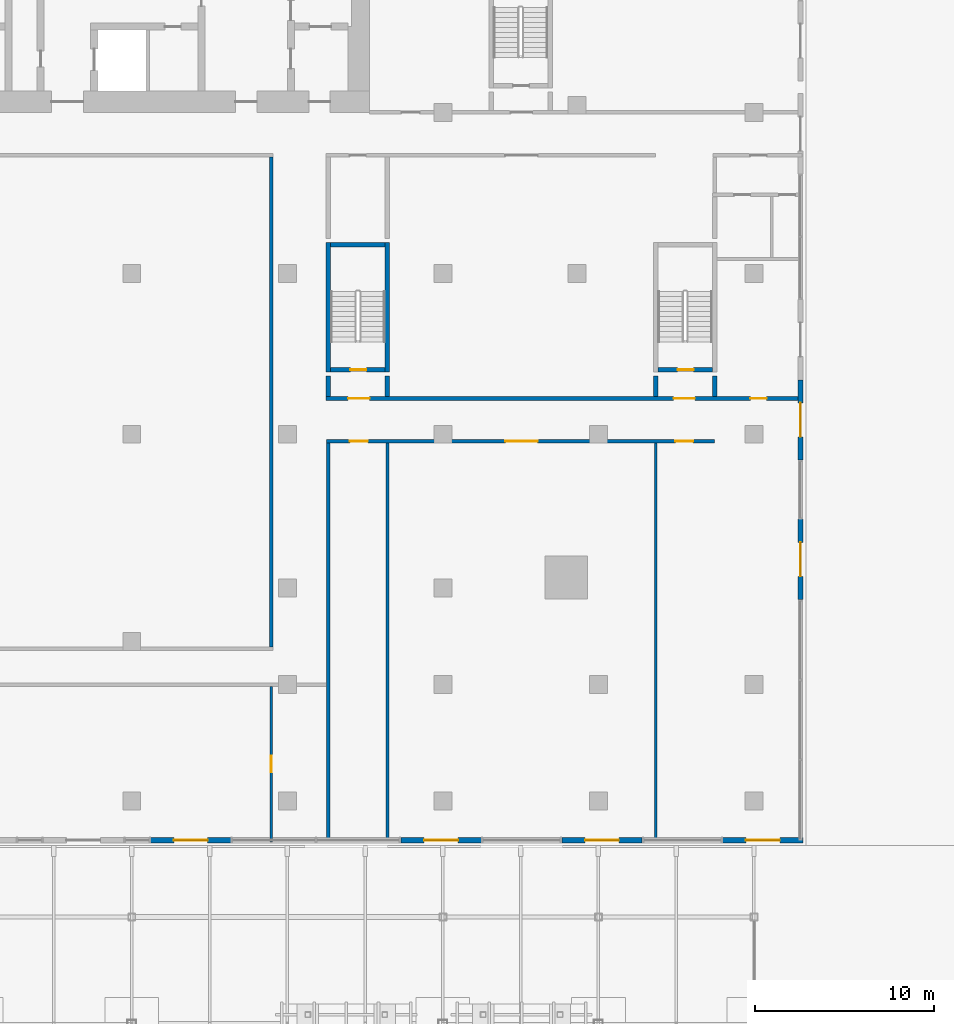
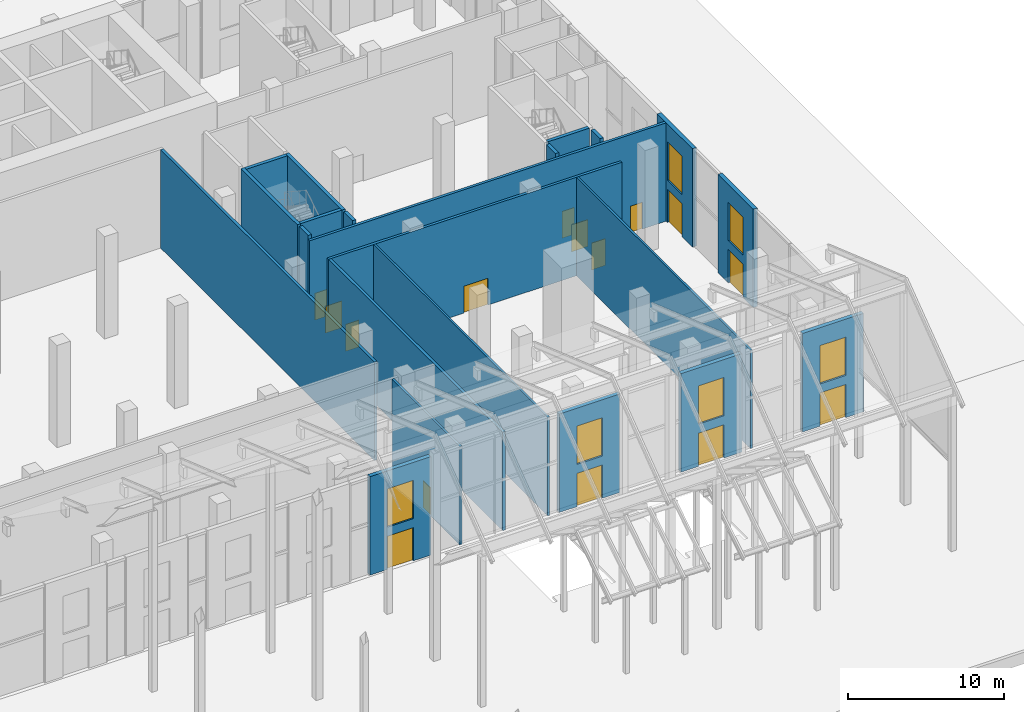
# One storey, part 22 of 31: 22 walls, 15 doors, 6 windows, 21 openings.
"""IFC4 building model written with IfcOpenShell, lengths in metres."""

from ifc_helpers import new_model, si_unit, direction, frame, frame_2d, origin, place, context, subcontext, project, spatial, rectangle, extrude, material, layer, layer_set, layer_usage, type_object, element, fill, save


model = new_model("IFC4")

# Units and contexts
model_context = context("Model", 3, precision=1e-05, world=origin(), true_north=direction((0.0, 1.0)))
body_context = subcontext(model_context, "Body", "Model", "MODEL_VIEW")
ifc_project = project(units=[si_unit("LENGTHUNIT", "METRE"), si_unit("AREAUNIT", "SQUARE_METRE"), si_unit("VOLUMEUNIT", "CUBIC_METRE"), si_unit("PLANEANGLEUNIT", "RADIAN"), si_unit("MASSUNIT", "GRAM", prefix="KILO")], contexts=[model_context])

# Site, building, storey
site_placement = place(None, origin())
site = spatial("IfcSite", under=ifc_project, at=site_placement, CompositionType="ELEMENT")
building_placement = place(site_placement, origin())
building = spatial("IfcBuilding", under=site, at=building_placement, Name="Bicima Exchange Tower", CompositionType="ELEMENT")
storey_placement = place(building_placement, origin())
storey = spatial("IfcBuildingStorey", under=building, at=storey_placement, Name="L00", CompositionType="ELEMENT", Elevation=0.0)

# Wall, openings, window, door
ifc_material_1 = material(Name="Concrete C40/50", Category="concrete")
ifc_layer_1 = layer(ifc_material_1, 0.3)
ifc_layer_set_1 = layer_set([ifc_layer_1], Name="Concrete C40/50")
ifc_layer_usage = layer_usage(ifc_layer_set_1, "AXIS2", "POSITIVE", -0.15)
wall_type_1 = type_object("IfcWallType", Name="Entrance frame wall 300", PredefinedType="STANDARD", material=ifc_layer_set_1)
wall_1_placement = place(storey_placement, frame((14.25, -53.699951171875, 0.0), z_axis=(0.0, 0.0, 1.0), x_axis=(-1.0, 0.0, 0.0)))
wall_1 = element("IfcWall", 1, at=wall_1_placement, inside=storey, type_object=wall_type_1, material=ifc_layer_usage, Name="Entrance frame wall L00 south 15", PredefinedType="STANDARD", context=body_context, shape_type="SweptSolid", body=[
    extrude(rectangle(XDim=4.5, YDim=0.300048828125, at=frame_2d((2.25, 0.0))), origin(), (0.0, 0.0, 1.0), 7.699951171875),
])
opening_1_placement = place(wall_1_placement, frame((1.300048828125, 0.0, 0.0)))
opening_1 = element("IfcOpeningElement", 2, at=opening_1_placement, cuts=wall_1, Name="Opening DX2", PredefinedType="OPENING", context=body_context, shape_type="SweptSolid", body=[
    extrude(rectangle(XDim=1.89990234375, YDim=2.60009765625, at=frame_2d((0.949951171875, 1.300048828125))), frame((0.0, 0.162109375, 0.0), z_axis=(0.0, -1.0, 0.0), x_axis=(1.0, 0.0, 0.0)), (0.0, 0.0, 1.0), 0.323974609375),
])
opening_2_placement = place(wall_1_placement, frame((1.300048828125, 0.0, 3.300048828125)))
opening_2 = element("IfcOpeningElement", 3, at=opening_2_placement, cuts=wall_1, Name="Opening WX1", PredefinedType="OPENING", context=body_context, shape_type="SweptSolid", body=[
    extrude(rectangle(XDim=1.89990234375, YDim=3.0, at=frame_2d((0.949951171875, 1.5))), frame((0.0, 0.162109375, 0.0), z_axis=(0.0, -1.0, 0.0), x_axis=(1.0, 0.0, 0.0)), (0.0, 0.0, 1.0), 0.323974609375),
])
ifc_material_2 = material(Name="Clear low-iron glass", Category="glass")
window_type = type_object("IfcWindowType", Name="Entrance transom light 1900 x 3000", PartitioningType="SINGLE_PANEL", PredefinedType="WINDOW", material=ifc_material_2)
window_1_placement = place(opening_2_placement, origin())
window_1 = element("IfcWindow", 4, at=window_1_placement, inside=storey, type_object=window_type, Name="Entrance transom light L00 south 15", OverallHeight=3.0, OverallWidth=1.89990234375, PartitioningType="SINGLE_PANEL", PredefinedType="WINDOW", context=body_context, shape_type="SweptSolid", body=[
    extrude(rectangle(XDim=1.89990234375, YDim=3.0, at=frame_2d((0.949951171875, 1.5))), frame((0.0, 0.030029296875, 0.0), z_axis=(0.0, -1.0, 0.0), x_axis=(1.0, 0.0, 0.0)), (0.0, 0.0, 1.0), 0.06005859375),
])
fill(opening_2, window_1)
ifc_material_3 = material(Name="Anodised bronze aluminium and bonded safety glass", Category="aluminium")
door_type_1 = type_object("IfcDoorType", Name="Exit door, double leaf 1900 x 2600", OperationType="DOUBLE_DOOR_DOUBLE_SWING", PredefinedType="DOOR", material=ifc_material_3)
door_1_placement = place(opening_1_placement, origin())
door_1 = element("IfcDoor", 5, at=door_1_placement, inside=storey, type_object=door_type_1, Name="Exit door L00 south 15", OperationType="SINGLE_SWING_LEFT", OverallHeight=2.60009765625, OverallWidth=1.89990234375, PredefinedType="DOOR", context=body_context, shape_type="SweptSolid", body=[
    extrude(rectangle(XDim=1.89990234375, YDim=2.60009765625, at=frame_2d((0.949951171875, 1.300048828125))), frame((0.0, 0.02490234375, 0.0), z_axis=(0.0, -1.0, 0.0), x_axis=(1.0, 0.0, 0.0)), (0.0, 0.0, 1.0), 0.050048828125),
])
fill(opening_1, door_1)

wall_2_placement = place(storey_placement, frame((28.25, -53.699951171875, 0.0), z_axis=(0.0, 0.0, 1.0), x_axis=(-1.0, 0.0, 0.0)))
wall_2 = element("IfcWall", 6, at=wall_2_placement, inside=storey, type_object=wall_type_1, material=ifc_layer_usage, Name="Entrance frame wall L00 south 17", PredefinedType="STANDARD", context=body_context, shape_type="SweptSolid", body=[
    extrude(rectangle(XDim=4.5, YDim=0.300048828125, at=frame_2d((2.25, 0.0))), origin(), (0.0, 0.0, 1.0), 7.699951171875),
])
opening_3_placement = place(wall_2_placement, frame((1.300048828125, 0.0, 0.0)))
opening_3 = element("IfcOpeningElement", 7, at=opening_3_placement, cuts=wall_2, Name="Opening DX2", PredefinedType="OPENING", context=body_context, shape_type="SweptSolid", body=[
    extrude(rectangle(XDim=1.89990234375, YDim=2.60009765625, at=frame_2d((0.949951171875, 1.300048828125))), frame((0.0, 0.162109375, 0.0), z_axis=(0.0, -1.0, 0.0), x_axis=(1.0, 0.0, 0.0)), (0.0, 0.0, 1.0), 0.323974609375),
])
opening_4_placement = place(wall_2_placement, frame((1.300048828125, 0.0, 3.300048828125)))
opening_4 = element("IfcOpeningElement", 8, at=opening_4_placement, cuts=wall_2, Name="Opening WX1", PredefinedType="OPENING", context=body_context, shape_type="SweptSolid", body=[
    extrude(rectangle(XDim=1.89990234375, YDim=3.0, at=frame_2d((0.949951171875, 1.5))), frame((0.0, 0.162109375, 0.0), z_axis=(0.0, -1.0, 0.0), x_axis=(1.0, 0.0, 0.0)), (0.0, 0.0, 1.0), 0.323974609375),
])
window_2_placement = place(opening_4_placement, origin())
window_2 = element("IfcWindow", 9, at=window_2_placement, inside=storey, type_object=window_type, Name="Entrance transom light L00 south 17", OverallHeight=3.0, OverallWidth=1.89990234375, PartitioningType="SINGLE_PANEL", PredefinedType="WINDOW", context=body_context, shape_type="SweptSolid", body=[
    extrude(rectangle(XDim=1.89990234375, YDim=3.0, at=frame_2d((0.949951171875, 1.5))), frame((0.0, 0.030029296875, 0.0), z_axis=(0.0, -1.0, 0.0), x_axis=(1.0, 0.0, 0.0)), (0.0, 0.0, 1.0), 0.06005859375),
])
fill(opening_4, window_2)
door_2_placement = place(opening_3_placement, origin())
door_2 = element("IfcDoor", 10, at=door_2_placement, inside=storey, type_object=door_type_1, Name="Exit door L00 south 17", OperationType="SINGLE_SWING_LEFT", OverallHeight=2.60009765625, OverallWidth=1.89990234375, PredefinedType="DOOR", context=body_context, shape_type="SweptSolid", body=[
    extrude(rectangle(XDim=1.89990234375, YDim=2.60009765625, at=frame_2d((0.949951171875, 1.300048828125))), frame((0.0, 0.02490234375, 0.0), z_axis=(0.0, -1.0, 0.0), x_axis=(1.0, 0.0, 0.0)), (0.0, 0.0, 1.0), 0.050048828125),
])
fill(opening_3, door_2)

wall_3_placement = place(storey_placement, frame((37.25, -53.699951171875, 0.0), z_axis=(0.0, 0.0, 1.0), x_axis=(-1.0, 0.0, 0.0)))
wall_3 = element("IfcWall", 11, at=wall_3_placement, inside=storey, type_object=wall_type_1, material=ifc_layer_usage, Name="Entrance frame wall L00 south 19", PredefinedType="STANDARD", context=body_context, shape_type="SweptSolid", body=[
    extrude(rectangle(XDim=4.5, YDim=0.300048828125, at=frame_2d((2.25, 0.0))), origin(), (0.0, 0.0, 1.0), 7.699951171875),
])
opening_5_placement = place(wall_3_placement, frame((1.300048828125, 0.0, 0.0)))
opening_5 = element("IfcOpeningElement", 12, at=opening_5_placement, cuts=wall_3, Name="Opening DX2", PredefinedType="OPENING", context=body_context, shape_type="SweptSolid", body=[
    extrude(rectangle(XDim=1.89990234375, YDim=2.60009765625, at=frame_2d((0.949951171875, 1.300048828125))), frame((0.0, 0.162109375, 0.0), z_axis=(0.0, -1.0, 0.0), x_axis=(1.0, 0.0, 0.0)), (0.0, 0.0, 1.0), 0.323974609375),
])
opening_6_placement = place(wall_3_placement, frame((1.300048828125, 0.0, 3.300048828125)))
opening_6 = element("IfcOpeningElement", 13, at=opening_6_placement, cuts=wall_3, Name="Opening WX1", PredefinedType="OPENING", context=body_context, shape_type="SweptSolid", body=[
    extrude(rectangle(XDim=1.89990234375, YDim=3.0, at=frame_2d((0.949951171875, 1.5))), frame((0.0, 0.162109375, 0.0), z_axis=(0.0, -1.0, 0.0), x_axis=(1.0, 0.0, 0.0)), (0.0, 0.0, 1.0), 0.323974609375),
])
window_3_placement = place(opening_6_placement, origin())
window_3 = element("IfcWindow", 14, at=window_3_placement, inside=storey, type_object=window_type, Name="Entrance transom light L00 south 19", OverallHeight=3.0, OverallWidth=1.89990234375, PartitioningType="SINGLE_PANEL", PredefinedType="WINDOW", context=body_context, shape_type="SweptSolid", body=[
    extrude(rectangle(XDim=1.89990234375, YDim=3.0, at=frame_2d((0.949951171875, 1.5))), frame((0.0, 0.030029296875, 0.0), z_axis=(0.0, -1.0, 0.0), x_axis=(1.0, 0.0, 0.0)), (0.0, 0.0, 1.0), 0.06005859375),
])
fill(opening_6, window_3)
door_3_placement = place(opening_5_placement, origin())
door_3 = element("IfcDoor", 15, at=door_3_placement, inside=storey, type_object=door_type_1, Name="Exit door L00 south 19", OperationType="SINGLE_SWING_LEFT", OverallHeight=2.60009765625, OverallWidth=1.89990234375, PredefinedType="DOOR", context=body_context, shape_type="SweptSolid", body=[
    extrude(rectangle(XDim=1.89990234375, YDim=2.60009765625, at=frame_2d((0.949951171875, 1.300048828125))), frame((0.0, 0.02490234375, 0.0), z_axis=(0.0, -1.0, 0.0), x_axis=(1.0, 0.0, 0.0)), (0.0, 0.0, 1.0), 0.050048828125),
])
fill(opening_5, door_3)

wall_4_placement = place(storey_placement, frame((46.25, -53.699951171875, 0.0), z_axis=(0.0, 0.0, 1.0), x_axis=(-1.0, 0.0, 0.0)))
wall_4 = element("IfcWall", 16, at=wall_4_placement, inside=storey, type_object=wall_type_1, material=ifc_layer_usage, Name="Entrance frame wall L00 south 21", PredefinedType="STANDARD", context=body_context, shape_type="SweptSolid", body=[
    extrude(rectangle(XDim=4.5, YDim=0.300048828125, at=frame_2d((2.25, 0.0))), origin(), (0.0, 0.0, 1.0), 7.699951171875),
])
opening_7_placement = place(wall_4_placement, frame((1.300048828125, 0.0, 0.0)))
opening_7 = element("IfcOpeningElement", 17, at=opening_7_placement, cuts=wall_4, Name="Opening DX2", PredefinedType="OPENING", context=body_context, shape_type="SweptSolid", body=[
    extrude(rectangle(XDim=1.89990234375, YDim=2.60009765625, at=frame_2d((0.949951171875, 1.300048828125))), frame((0.0, 0.162109375, 0.0), z_axis=(0.0, -1.0, 0.0), x_axis=(1.0, 0.0, 0.0)), (0.0, 0.0, 1.0), 0.323974609375),
])
opening_8_placement = place(wall_4_placement, frame((1.300048828125, 0.0, 3.300048828125)))
opening_8 = element("IfcOpeningElement", 18, at=opening_8_placement, cuts=wall_4, Name="Opening WX1", PredefinedType="OPENING", context=body_context, shape_type="SweptSolid", body=[
    extrude(rectangle(XDim=1.89990234375, YDim=3.0, at=frame_2d((0.949951171875, 1.5))), frame((0.0, 0.162109375, 0.0), z_axis=(0.0, -1.0, 0.0), x_axis=(1.0, 0.0, 0.0)), (0.0, 0.0, 1.0), 0.323974609375),
])
window_4_placement = place(opening_8_placement, origin())
window_4 = element("IfcWindow", 19, at=window_4_placement, inside=storey, type_object=window_type, Name="Entrance transom light L00 south 21", OverallHeight=3.0, OverallWidth=1.89990234375, PartitioningType="SINGLE_PANEL", PredefinedType="WINDOW", context=body_context, shape_type="SweptSolid", body=[
    extrude(rectangle(XDim=1.89990234375, YDim=3.0, at=frame_2d((0.949951171875, 1.5))), frame((0.0, 0.030029296875, 0.0), z_axis=(0.0, -1.0, 0.0), x_axis=(1.0, 0.0, 0.0)), (0.0, 0.0, 1.0), 0.06005859375),
])
fill(opening_8, window_4)
door_4_placement = place(opening_7_placement, origin())
door_4 = element("IfcDoor", 20, at=door_4_placement, inside=storey, type_object=door_type_1, Name="Exit door L00 south 21", OperationType="SINGLE_SWING_LEFT", OverallHeight=2.60009765625, OverallWidth=1.89990234375, PredefinedType="DOOR", context=body_context, shape_type="SweptSolid", body=[
    extrude(rectangle(XDim=1.89990234375, YDim=2.60009765625, at=frame_2d((0.949951171875, 1.300048828125))), frame((0.0, 0.02490234375, 0.0), z_axis=(0.0, -1.0, 0.0), x_axis=(1.0, 0.0, 0.0)), (0.0, 0.0, 1.0), 0.050048828125),
])
fill(opening_7, door_4)

wall_5_placement = place(storey_placement, frame((46.10009765625, -35.75, 0.0), z_axis=(0.0, 0.0, 1.0), x_axis=(0.0, -1.0, 0.0)))
wall_5 = element("IfcWall", 21, at=wall_5_placement, inside=storey, type_object=wall_type_1, material=ifc_layer_usage, Name="Entrance frame wall L00 east 2", PredefinedType="STANDARD", context=body_context, shape_type="SweptSolid", body=[
    extrude(rectangle(XDim=4.5, YDim=0.300048828125, at=frame_2d((2.25, 0.0))), origin(), (0.0, 0.0, 1.0), 7.699951171875),
])
opening_9_placement = place(wall_5_placement, frame((1.300048828125, 0.0, 0.0)))
opening_9 = element("IfcOpeningElement", 22, at=opening_9_placement, cuts=wall_5, Name="Opening DX2", PredefinedType="OPENING", context=body_context, shape_type="SweptSolid", body=[
    extrude(rectangle(XDim=1.89990234375, YDim=2.60009765625, at=frame_2d((0.949951171875, 1.300048828125))), frame((0.0, 0.162109375, 0.0), z_axis=(0.0, -1.0, 0.0), x_axis=(1.0, 0.0, 0.0)), (0.0, 0.0, 1.0), 0.323974609375),
])
opening_10_placement = place(wall_5_placement, frame((1.300048828125, 0.0, 3.300048828125)))
opening_10 = element("IfcOpeningElement", 23, at=opening_10_placement, cuts=wall_5, Name="Opening WX1", PredefinedType="OPENING", context=body_context, shape_type="SweptSolid", body=[
    extrude(rectangle(XDim=1.89990234375, YDim=3.0, at=frame_2d((0.949951171875, 1.5))), frame((0.0, 0.162109375, 0.0), z_axis=(0.0, -1.0, 0.0), x_axis=(1.0, 0.0, 0.0)), (0.0, 0.0, 1.0), 0.323974609375),
])
window_5_placement = place(opening_10_placement, origin())
window_5 = element("IfcWindow", 24, at=window_5_placement, inside=storey, type_object=window_type, Name="Entrance transom light L00 east 2", OverallHeight=3.0, OverallWidth=1.89990234375, PartitioningType="SINGLE_PANEL", PredefinedType="WINDOW", context=body_context, shape_type="SweptSolid", body=[
    extrude(rectangle(XDim=1.89990234375, YDim=3.0, at=frame_2d((0.949951171875, 1.5))), frame((0.0, 0.030029296875, 0.0), z_axis=(0.0, -1.0, 0.0), x_axis=(1.0, 0.0, 0.0)), (0.0, 0.0, 1.0), 0.06005859375),
])
fill(opening_10, window_5)
door_5_placement = place(opening_9_placement, origin())
door_5 = element("IfcDoor", 25, at=door_5_placement, inside=storey, type_object=door_type_1, Name="Exit door L00 east 2", OperationType="SINGLE_SWING_LEFT", OverallHeight=2.60009765625, OverallWidth=1.89990234375, PredefinedType="DOOR", context=body_context, shape_type="SweptSolid", body=[
    extrude(rectangle(XDim=1.89990234375, YDim=2.60009765625, at=frame_2d((0.949951171875, 1.300048828125))), frame((0.0, 0.02490234375, 0.0), z_axis=(0.0, -1.0, 0.0), x_axis=(1.0, 0.0, 0.0)), (0.0, 0.0, 1.0), 0.050048828125),
])
fill(opening_9, door_5)

wall_6_placement = place(storey_placement, frame((46.10009765625, -27.949951171875, 0.0), z_axis=(0.0, 0.0, 1.0), x_axis=(0.0, -1.0, 0.0)))
wall_6 = element("IfcWall", 26, at=wall_6_placement, inside=storey, type_object=wall_type_1, material=ifc_layer_usage, Name="Entrance frame wall L00 east 4", PredefinedType="STANDARD", context=body_context, shape_type="SweptSolid", body=[
    extrude(rectangle(XDim=4.5, YDim=0.300048828125, at=frame_2d((2.25, 0.0))), origin(), (0.0, 0.0, 1.0), 7.699951171875),
])
opening_11_placement = place(wall_6_placement, frame((1.300048828125, 0.0, 0.0)))
opening_11 = element("IfcOpeningElement", 27, at=opening_11_placement, cuts=wall_6, Name="Opening DX2", PredefinedType="OPENING", context=body_context, shape_type="SweptSolid", body=[
    extrude(rectangle(XDim=1.89990234375, YDim=2.60009765625, at=frame_2d((0.949951171875, 1.300048828125))), frame((0.0, 0.162109375, 0.0), z_axis=(0.0, -1.0, 0.0), x_axis=(1.0, 0.0, 0.0)), (0.0, 0.0, 1.0), 0.323974609375),
])
opening_12_placement = place(wall_6_placement, frame((1.300048828125, 0.0, 3.300048828125)))
opening_12 = element("IfcOpeningElement", 28, at=opening_12_placement, cuts=wall_6, Name="Opening WX1", PredefinedType="OPENING", context=body_context, shape_type="SweptSolid", body=[
    extrude(rectangle(XDim=1.89990234375, YDim=3.0, at=frame_2d((0.949951171875, 1.5))), frame((0.0, 0.162109375, 0.0), z_axis=(0.0, -1.0, 0.0), x_axis=(1.0, 0.0, 0.0)), (0.0, 0.0, 1.0), 0.323974609375),
])
window_6_placement = place(opening_12_placement, origin())
window_6 = element("IfcWindow", 29, at=window_6_placement, inside=storey, type_object=window_type, Name="Entrance transom light L00 east 4", OverallHeight=3.0, OverallWidth=1.89990234375, PartitioningType="SINGLE_PANEL", PredefinedType="WINDOW", context=body_context, shape_type="SweptSolid", body=[
    extrude(rectangle(XDim=1.89990234375, YDim=3.0, at=frame_2d((0.949951171875, 1.5))), frame((0.0, 0.030029296875, 0.0), z_axis=(0.0, -1.0, 0.0), x_axis=(1.0, 0.0, 0.0)), (0.0, 0.0, 1.0), 0.06005859375),
])
fill(opening_12, window_6)
door_6_placement = place(opening_11_placement, origin())
door_6 = element("IfcDoor", 30, at=door_6_placement, inside=storey, type_object=door_type_1, Name="Exit door L00 east 4", OperationType="SINGLE_SWING_LEFT", OverallHeight=2.60009765625, OverallWidth=1.89990234375, PredefinedType="DOOR", context=body_context, shape_type="SweptSolid", body=[
    extrude(rectangle(XDim=1.89990234375, YDim=2.60009765625, at=frame_2d((0.949951171875, 1.300048828125))), frame((0.0, 0.02490234375, 0.0), z_axis=(0.0, -1.0, 0.0), x_axis=(1.0, 0.0, 0.0)), (0.0, 0.0, 1.0), 0.050048828125),
])
fill(opening_11, door_6)

# Wall, openings, doors
ifc_material_4 = material(Name="Gypsum board partition")
ifc_layer_2 = layer(ifc_material_4, 0.199951171875)
ifc_layer_set_2 = layer_set([ifc_layer_2], Name="Gypsum board partition")
wall_type_2 = type_object("IfcWallType", Name="Fire-rated gypsum partition 200 EI60", PredefinedType="PARTITIONING", material=ifc_layer_set_2)
wall_7_placement = place(storey_placement, frame((19.60009765625, -31.39990234375, 0.0), z_axis=(0.0, 0.0, 1.0), x_axis=(1.0, 0.0, 0.0)))
wall_7 = element("IfcWall", 31, at=wall_7_placement, inside=storey, type_object=wall_type_2, Name="partition wall 4", PredefinedType="PARTITIONING", context=body_context, shape_type="SweptSolid", body=[
    extrude(rectangle(XDim=21.699951171875, YDim=0.199951171875, at=frame_2d((10.85009765625, 0.0))), origin(), (0.0, 0.0, 1.0), 7.699951171875),
])
opening_13_placement = place(wall_7_placement, frame((1.300048828125, 0.0, 0.0)))
opening_13 = element("IfcOpeningElement", 32, at=opening_13_placement, cuts=wall_7, Name="Opening L00-029", PredefinedType="OPENING", context=body_context, shape_type="SweptSolid", body=[
    extrude(rectangle(XDim=1.0, YDim=2.10009765625, at=frame_2d((0.5, 1.050048828125))), frame((0.0, 0.11181640625, 0.0), z_axis=(0.0, -1.0, 0.0), x_axis=(1.0, 0.0, 0.0)), (0.0, 0.0, 1.0), 0.223876953125),
])
opening_14_placement = place(wall_7_placement, frame((10.0, 0.0, 0.0)))
opening_14 = element("IfcOpeningElement", 33, at=opening_14_placement, cuts=wall_7, Name="Opening L00-031", PredefinedType="OPENING", context=body_context, shape_type="SweptSolid", body=[
    extrude(rectangle(XDim=1.800048828125, YDim=2.10009765625, at=frame_2d((0.89990234375, 1.050048828125))), frame((0.0, 0.11181640625, 0.0), z_axis=(0.0, -1.0, 0.0), x_axis=(1.0, 0.0, 0.0)), (0.0, 0.0, 1.0), 0.223876953125),
])
opening_15_placement = place(wall_7_placement, frame((19.5, 0.0, 0.0)))
opening_15 = element("IfcOpeningElement", 34, at=opening_15_placement, cuts=wall_7, Name="Opening L00-033", PredefinedType="OPENING", context=body_context, shape_type="SweptSolid", body=[
    extrude(rectangle(XDim=1.0, YDim=2.10009765625, at=frame_2d((0.5, 1.050048828125))), frame((0.0, 0.11181640625, 0.0), z_axis=(0.0, -1.0, 0.0), x_axis=(1.0, 0.0, 0.0)), (0.0, 0.0, 1.0), 0.223876953125),
])
ifc_material_5 = material(Name="Steel fire door leaf", Category="steel")
door_type_2 = type_object("IfcDoorType", Name="Door 1000 swing FD30S", OperationType="SINGLE_SWING_LEFT", PredefinedType="DOOR", material=ifc_material_5)
door_7_placement = place(opening_13_placement, frame((1.0, 0.0, 0.0), z_axis=(0.0, 0.0, 1.0), x_axis=(-1.0, 0.0, 0.0)))
door_7 = element("IfcDoor", 35, at=door_7_placement, inside=storey, type_object=door_type_2, Name="Door", OperationType="SINGLE_SWING_RIGHT", OverallHeight=2.10009765625, OverallWidth=1.0, PredefinedType="DOOR", context=body_context, shape_type="SweptSolid", body=[
    extrude(rectangle(XDim=1.0, YDim=2.10009765625, at=frame_2d((0.5, 1.050048828125))), frame((0.0, 0.02490234375, 0.0), z_axis=(0.0, -1.0, 0.0), x_axis=(1.0, 0.0, 0.0)), (0.0, 0.0, 1.0), 0.050048828125),
])
fill(opening_13, door_7)
door_8_placement = place(opening_15_placement, frame((1.0, 0.0, 0.0), z_axis=(0.0, 0.0, 1.0), x_axis=(-1.0, 0.0, 0.0)))
door_8 = element("IfcDoor", 36, at=door_8_placement, inside=storey, type_object=door_type_2, Name="Door", OperationType="SINGLE_SWING_RIGHT", OverallHeight=2.10009765625, OverallWidth=1.0, PredefinedType="DOOR", context=body_context, shape_type="SweptSolid", body=[
    extrude(rectangle(XDim=1.0, YDim=2.10009765625, at=frame_2d((0.5, 1.050048828125))), frame((0.0, 0.02490234375, 0.0), z_axis=(0.0, -1.0, 0.0), x_axis=(1.0, 0.0, 0.0)), (0.0, 0.0, 1.0), 0.050048828125),
])
fill(opening_15, door_8)
door_type_3 = type_object("IfcDoorType", Name="Door 1800 double swing FD30S", OperationType="DOUBLE_DOOR_SINGLE_SWING", PredefinedType="DOOR", material=ifc_material_5)
door_9_placement = place(opening_14_placement, origin())
door_9 = element("IfcDoor", 37, at=door_9_placement, inside=storey, type_object=door_type_3, Name="Door", OperationType="SINGLE_SWING_LEFT", OverallHeight=2.10009765625, OverallWidth=1.800048828125, PredefinedType="DOOR", context=body_context, shape_type="SweptSolid", body=[
    extrude(rectangle(XDim=1.800048828125, YDim=2.10009765625, at=frame_2d((0.89990234375, 1.050048828125))), frame((0.0, 0.02490234375, 0.0), z_axis=(0.0, -1.0, 0.0), x_axis=(1.0, 0.0, 0.0)), (0.0, 0.0, 1.0), 0.050048828125),
])
fill(opening_14, door_9)

wall_8_placement = place(storey_placement, frame((19.574951171875, -29.0, 0.0), z_axis=(0.0, 0.0, 1.0), x_axis=(1.0, 0.0, 0.0)))
wall_8 = element("IfcWall", 38, at=wall_8_placement, inside=storey, type_object=wall_type_2, Name="partition wall 6", PredefinedType="PARTITIONING", context=body_context, shape_type="SweptSolid", body=[
    extrude(rectangle(XDim=26.614990234375, YDim=0.199951171875, at=frame_2d((13.3076171875, 0.0))), origin(), (0.0, 0.0, 1.0), 7.699951171875),
])
opening_16_placement = place(wall_8_placement, frame((1.22509765625, 0.0, 0.0)))
opening_16 = element("IfcOpeningElement", 39, at=opening_16_placement, cuts=wall_8, Name="Opening L00-005", PredefinedType="OPENING", context=body_context, shape_type="SweptSolid", body=[
    extrude(rectangle(XDim=1.199951171875, YDim=2.10009765625, at=frame_2d((0.60009765625, 1.050048828125))), frame((0.0, 0.11181640625, 0.0), z_axis=(0.0, -1.0, 0.0), x_axis=(1.0, 0.0, 0.0)), (0.0, 0.0, 1.0), 0.223876953125),
])
opening_17_placement = place(wall_8_placement, frame((19.425048828125, 0.0, 0.0)))
opening_17 = element("IfcOpeningElement", 40, at=opening_17_placement, cuts=wall_8, Name="Opening L00-007", PredefinedType="OPENING", context=body_context, shape_type="SweptSolid", body=[
    extrude(rectangle(XDim=1.199951171875, YDim=2.10009765625, at=frame_2d((0.60009765625, 1.050048828125))), frame((0.0, 0.11181640625, 0.0), z_axis=(0.0, -1.0, 0.0), x_axis=(1.0, 0.0, 0.0)), (0.0, 0.0, 1.0), 0.223876953125),
])
opening_18_placement = place(wall_8_placement, frame((23.72509765625, 0.0, 0.0)))
opening_18 = element("IfcOpeningElement", 41, at=opening_18_placement, cuts=wall_8, Name="Opening L00-032", PredefinedType="OPENING", context=body_context, shape_type="SweptSolid", body=[
    extrude(rectangle(XDim=0.89990234375, YDim=2.10009765625, at=frame_2d((0.449951171875, 1.050048828125))), frame((0.0, 0.11181640625, 0.0), z_axis=(0.0, -1.0, 0.0), x_axis=(1.0, 0.0, 0.0)), (0.0, 0.0, 1.0), 0.223876953125),
])
door_type_4 = type_object("IfcDoorType", Name="Door 1200 swing FD30S", OperationType="SINGLE_SWING_LEFT", PredefinedType="DOOR", material=ifc_material_5)
door_10_placement = place(opening_16_placement, origin())
door_10 = element("IfcDoor", 42, at=door_10_placement, inside=storey, type_object=door_type_4, Name="Door", OperationType="SINGLE_SWING_LEFT", OverallHeight=2.10009765625, OverallWidth=1.199951171875, PredefinedType="DOOR", context=body_context, shape_type="SweptSolid", body=[
    extrude(rectangle(XDim=1.199951171875, YDim=2.10009765625, at=frame_2d((0.60009765625, 1.050048828125))), frame((0.0, 0.02490234375, 0.0), z_axis=(0.0, -1.0, 0.0), x_axis=(1.0, 0.0, 0.0)), (0.0, 0.0, 1.0), 0.050048828125),
])
fill(opening_16, door_10)
door_11_placement = place(opening_17_placement, origin())
door_11 = element("IfcDoor", 43, at=door_11_placement, inside=storey, type_object=door_type_4, Name="Door", OperationType="SINGLE_SWING_LEFT", OverallHeight=2.10009765625, OverallWidth=1.199951171875, PredefinedType="DOOR", context=body_context, shape_type="SweptSolid", body=[
    extrude(rectangle(XDim=1.199951171875, YDim=2.10009765625, at=frame_2d((0.60009765625, 1.050048828125))), frame((0.0, 0.02490234375, 0.0), z_axis=(0.0, -1.0, 0.0), x_axis=(1.0, 0.0, 0.0)), (0.0, 0.0, 1.0), 0.050048828125),
])
fill(opening_17, door_11)
door_type_5 = type_object("IfcDoorType", Name="Door 900 swing FD30S", OperationType="SINGLE_SWING_LEFT", PredefinedType="DOOR", material=ifc_material_5)
door_12_placement = place(opening_18_placement, origin())
door_12 = element("IfcDoor", 44, at=door_12_placement, inside=storey, type_object=door_type_5, Name="Door", OperationType="SINGLE_SWING_LEFT", OverallHeight=2.10009765625, OverallWidth=0.89990234375, PredefinedType="DOOR", context=body_context, shape_type="SweptSolid", body=[
    extrude(rectangle(XDim=0.89990234375, YDim=2.10009765625, at=frame_2d((0.449951171875, 1.050048828125))), frame((0.0, 0.02490234375, 0.0), z_axis=(0.0, -1.0, 0.0), x_axis=(1.0, 0.0, 0.0)), (0.0, 0.0, 1.0), 0.050048828125),
])
fill(opening_18, door_12)

# Walls
wall_9_placement = place(storey_placement, frame((16.5, -42.89990234375, 0.0), z_axis=(0.0, 0.0, 1.0), x_axis=(0.0, 1.0, 0.0)))
element("IfcWall", 45, at=wall_9_placement, inside=storey, type_object=wall_type_2, Name="partition wall 45", PredefinedType="PARTITIONING", context=body_context, shape_type="SweptSolid", body=[
    extrude(rectangle(XDim=27.39990234375, YDim=0.199951171875, at=frame_2d((13.699951171875, 0.0))), origin(), (0.0, 0.0, 1.0), 7.699951171875),
])
wall_10_placement = place(storey_placement, frame((19.699951171875, -53.7900390625, 0.0), z_axis=(0.0, 0.0, 1.0), x_axis=(0.0, 1.0, 0.0)))
element("IfcWall", 46, at=wall_10_placement, inside=storey, type_object=wall_type_2, Name="partition wall 46", PredefinedType="PARTITIONING", context=body_context, shape_type="SweptSolid", body=[
    extrude(rectangle(XDim=22.2900390625, YDim=0.199951171875, at=frame_2d((11.14501953125, 0.0))), origin(), (0.0, 0.0, 1.0), 7.699951171875),
])

# Wall, opening, door
ifc_layer_3 = layer(ifc_material_4, 0.14990234375)
ifc_layer_set_3 = layer_set([ifc_layer_3], Name="Gypsum board partition")
wall_type_3 = type_object("IfcWallType", Name="Gypsum partition 150", PredefinedType="PARTITIONING", material=ifc_layer_set_3)
wall_11_placement = place(storey_placement, frame((16.5, -53.7900390625, 0.0), z_axis=(0.0, 0.0, 1.0), x_axis=(0.0, 1.0, 0.0)))
wall_11 = element("IfcWall", 47, at=wall_11_placement, inside=storey, type_object=wall_type_3, Name="partition wall 44", PredefinedType="PARTITIONING", context=body_context, shape_type="SweptSolid", body=[
    extrude(rectangle(XDim=8.68994140625, YDim=0.14990234375, at=frame_2d((4.344970703125, 0.0))), origin(), (0.0, 0.0, 1.0), 7.699951171875),
])
opening_19_placement = place(wall_11_placement, frame((3.89990234375, 0.0, 0.0)))
opening_19 = element("IfcOpeningElement", 48, at=opening_19_placement, cuts=wall_11, Name="Opening L00-027", PredefinedType="OPENING", context=body_context, shape_type="SweptSolid", body=[
    extrude(rectangle(XDim=0.89990234375, YDim=2.10009765625, at=frame_2d((0.449951171875, 1.050048828125))), frame((0.0, 0.0869140625, 0.0), z_axis=(0.0, -1.0, 0.0), x_axis=(1.0, 0.0, 0.0)), (0.0, 0.0, 1.0), 0.173828125),
])
ifc_material_6 = material(Name="Timber door leaf", Category="wood")
door_type_6 = type_object("IfcDoorType", Name="Door 900 swing", OperationType="SINGLE_SWING_LEFT", PredefinedType="DOOR", material=ifc_material_6)
door_13_placement = place(opening_19_placement, frame((0.89990234375, 0.0, 0.0), z_axis=(0.0, 0.0, 1.0), x_axis=(-1.0, 0.0, 0.0)))
door_13 = element("IfcDoor", 49, at=door_13_placement, inside=storey, type_object=door_type_6, Name="Door", OperationType="SINGLE_SWING_RIGHT", OverallHeight=2.10009765625, OverallWidth=0.89990234375, PredefinedType="DOOR", context=body_context, shape_type="SweptSolid", body=[
    extrude(rectangle(XDim=0.89990234375, YDim=2.10009765625, at=frame_2d((0.449951171875, 1.050048828125))), frame((0.0, 0.02490234375, 0.0), z_axis=(0.0, -1.0, 0.0), x_axis=(1.0, 0.0, 0.0)), (0.0, 0.0, 1.0), 0.050048828125),
])
fill(opening_19, door_13)

# Walls
for number, where, z_axis, x_axis, name in (
    (50, (23.0, -53.7900390625, 0.0), (0.0, 0.0, 1.0), (0.0, 1.0, 0.0), "partition wall 48"),
    (51, (38.0, -53.7900390625, 0.0), (0.0, 0.0, 1.0), (0.0, 1.0, 0.0), "partition wall 52"),
):
    element("IfcWall", number, at=place(storey_placement, frame(where, z_axis=z_axis, x_axis=x_axis)), inside=storey, type_object=wall_type_3, Name=name, PredefinedType="PARTITIONING", context=body_context, shape_type="SweptSolid", body=[
        extrude(rectangle(XDim=22.2900390625, YDim=0.14990234375, at=frame_2d((11.14501953125, 0.0))), origin(), (0.0, 0.0, 1.0), 7.699951171875),
    ])
ifc_material_7 = material(Name="Concrete C50/60", Category="concrete")
ifc_layer_4 = layer(ifc_material_7, 0.25)
ifc_layer_set_4 = layer_set([ifc_layer_4], Name="Concrete C50/60")
wall_type_4 = type_object("IfcWallType", Name="RC core wall 250 C50/60", PredefinedType="SHEAR", material=ifc_layer_set_4)
for number, where, z_axis, x_axis, name in (
    (52, (19.699951171875, -28.89990234375, 0.0), (0.0, 0.0, 1.0), (0.0, 1.0, 0.0), "stair wall 47"),
    (53, (23.0, -28.89990234375, 0.0), (0.0, 0.0, 1.0), (0.0, 1.0, 0.0), "stair wall 49"),
    (54, (38.0, -28.89990234375, 0.0), (0.0, 0.0, 1.0), (0.0, 1.0, 0.0), "stair wall 53"),
    (55, (41.300048828125, -28.89990234375, 0.0), (0.0, 0.0, 1.0), (0.0, 1.0, 0.0), "stair wall 54"),
):
    element("IfcWall", number, at=place(storey_placement, frame(where, z_axis=z_axis, x_axis=x_axis)), inside=storey, type_object=wall_type_4, Name=name, PredefinedType="SHEAR", context=body_context, shape_type="SweptSolid", body=[
        extrude(rectangle(XDim=1.14990234375, YDim=0.25, at=frame_2d((0.574951171875, 0.0))), origin(), (0.0, 0.0, 1.0), 8.0),
    ])
ifc_layer_5 = layer(ifc_material_7, 0.25)
ifc_layer_set_5 = layer_set([ifc_layer_5], Name="Concrete C50/60")
wall_type_5 = type_object("IfcWallType", Name="RC stair enclosure wall 250 C50/60", PredefinedType="SHEAR", material=ifc_layer_set_5)
for number, where, z_axis, x_axis, name in (
    (56, (19.699951171875, -27.52490234375, 0.0), (0.0, 0.0, 1.0), (0.0, 1.0, 0.0), "Podium inner east stair wall W"),
    (57, (23.0, -27.52490234375, 0.0), (0.0, 0.0, 1.0), (0.0, 1.0, 0.0), "Podium inner east stair wall E"),
):
    element("IfcWall", number, at=place(storey_placement, frame(where, z_axis=z_axis, x_axis=x_axis)), inside=storey, type_object=wall_type_5, Name=name, PredefinedType="SHEAR", context=body_context, shape_type="SweptSolid", body=[
        extrude(rectangle(XDim=7.25, YDim=0.25, at=frame_2d((3.625, 0.0))), origin(), (0.0, 0.0, 1.0), 8.0),
    ])

# Wall, opening, door
wall_12_placement = place(storey_placement, frame((19.824951171875, -27.39990234375, 0.0), z_axis=(0.0, 0.0, 1.0), x_axis=(1.0, 0.0, 0.0)))
wall_12 = element("IfcWall", 58, at=wall_12_placement, inside=storey, type_object=wall_type_5, Name="Podium inner east stair wall S", PredefinedType="SHEAR", context=body_context, shape_type="SweptSolid", body=[
    extrude(rectangle(XDim=3.050048828125, YDim=0.25, at=frame_2d((1.52490234375, 0.0))), origin(), (0.0, 0.0, 1.0), 8.0),
])
opening_20_placement = place(wall_12_placement, frame((1.10009765625, 0.0, 0.0)))
opening_20 = element("IfcOpeningElement", 59, at=opening_20_placement, cuts=wall_12, Name="Opening L00-006", PredefinedType="OPENING", context=body_context, shape_type="SweptSolid", body=[
    extrude(rectangle(XDim=0.89990234375, YDim=2.10009765625, at=frame_2d((0.449951171875, 1.050048828125))), frame((0.0, 0.136962890625, 0.0), z_axis=(0.0, -1.0, 0.0), x_axis=(1.0, 0.0, 0.0)), (0.0, 0.0, 1.0), 0.27392578125),
])
door_type_7 = type_object("IfcDoorType", Name="Door 900 swing FD60S", OperationType="SINGLE_SWING_LEFT", PredefinedType="DOOR", material=ifc_material_5)
door_14_placement = place(opening_20_placement, origin())
door_14 = element("IfcDoor", 60, at=door_14_placement, inside=storey, type_object=door_type_7, Name="Door", OperationType="SINGLE_SWING_RIGHT", OverallHeight=2.10009765625, OverallWidth=0.89990234375, PredefinedType="DOOR", context=body_context, shape_type="SweptSolid", body=[
    extrude(rectangle(XDim=0.89990234375, YDim=2.10009765625, at=frame_2d((0.449951171875, 1.050048828125))), frame((0.0, 0.02490234375, 0.0), z_axis=(0.0, -1.0, 0.0), x_axis=(1.0, 0.0, 0.0)), (0.0, 0.0, 1.0), 0.050048828125),
])
fill(opening_20, door_14)

# Wall
wall_13_placement = place(storey_placement, frame((19.824951171875, -20.39990234375, 0.0), z_axis=(0.0, 0.0, 1.0), x_axis=(1.0, 0.0, 0.0)))
element("IfcWall", 61, at=wall_13_placement, inside=storey, type_object=wall_type_5, Name="Podium inner east stair wall N", PredefinedType="SHEAR", context=body_context, shape_type="SweptSolid", body=[
    extrude(rectangle(XDim=3.050048828125, YDim=0.25, at=frame_2d((1.52490234375, 0.0))), origin(), (0.0, 0.0, 1.0), 8.0),
])

# Wall, opening, door
wall_14_placement = place(storey_placement, frame((38.125, -27.39990234375, 0.0), z_axis=(0.0, 0.0, 1.0), x_axis=(1.0, 0.0, 0.0)))
wall_14 = element("IfcWall", 62, at=wall_14_placement, inside=storey, type_object=wall_type_5, Name="Podium east stair wall S", PredefinedType="SHEAR", context=body_context, shape_type="SweptSolid", body=[
    extrude(rectangle(XDim=3.050048828125, YDim=0.25, at=frame_2d((1.52490234375, 0.0))), origin(), (0.0, 0.0, 1.0), 8.0),
])
opening_21_placement = place(wall_14_placement, frame((1.10009765625, 0.0, 0.0)))
opening_21 = element("IfcOpeningElement", 63, at=opening_21_placement, cuts=wall_14, Name="Opening L00-008", PredefinedType="OPENING", context=body_context, shape_type="SweptSolid", body=[
    extrude(rectangle(XDim=0.89990234375, YDim=2.10009765625, at=frame_2d((0.449951171875, 1.050048828125))), frame((0.0, 0.136962890625, 0.0), z_axis=(0.0, -1.0, 0.0), x_axis=(1.0, 0.0, 0.0)), (0.0, 0.0, 1.0), 0.27392578125),
])
door_15_placement = place(opening_21_placement, origin())
door_15 = element("IfcDoor", 64, at=door_15_placement, inside=storey, type_object=door_type_7, Name="Door", OperationType="SINGLE_SWING_LEFT", OverallHeight=2.10009765625, OverallWidth=0.89990234375, PredefinedType="DOOR", context=body_context, shape_type="SweptSolid", body=[
    extrude(rectangle(XDim=0.89990234375, YDim=2.10009765625, at=frame_2d((0.449951171875, 1.050048828125))), frame((0.0, 0.02490234375, 0.0), z_axis=(0.0, -1.0, 0.0), x_axis=(1.0, 0.0, 0.0)), (0.0, 0.0, 1.0), 0.050048828125),
])
fill(opening_21, door_15)

save(model, "model.ifc")
